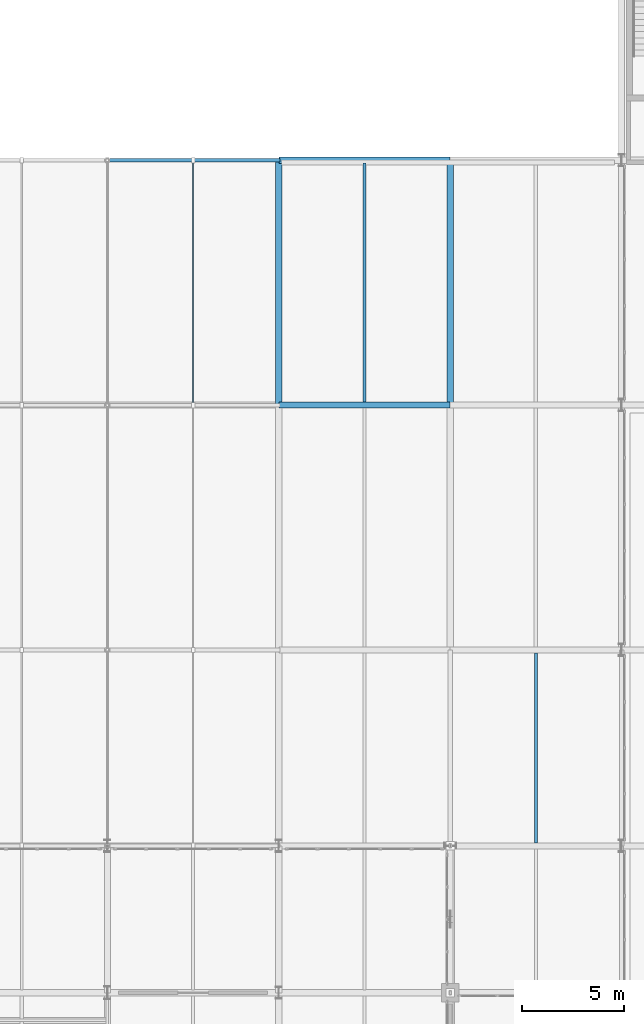
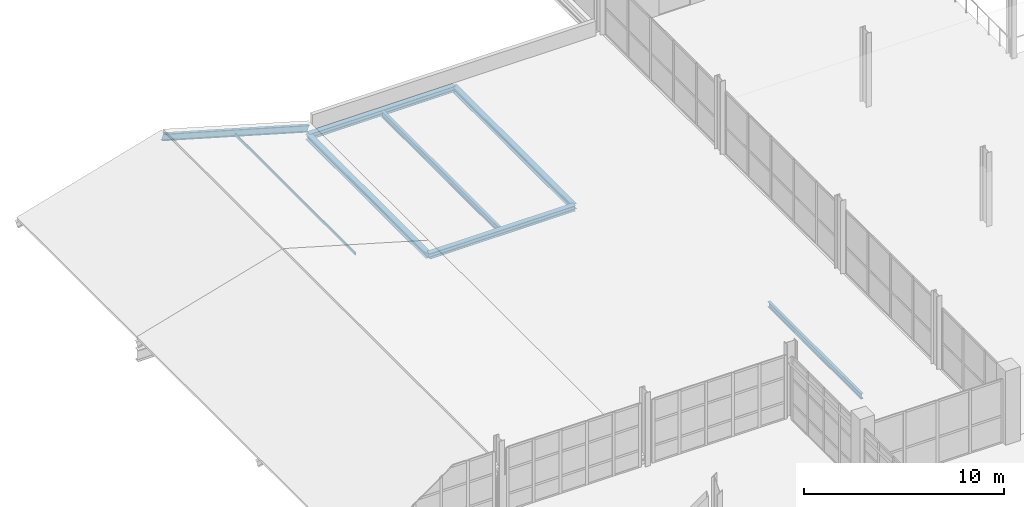
# One storey, part 37 of 130: 7 beams, 1 member.
"""IFC4 building model written with IfcOpenShell, lengths in metres."""

from ifc_helpers import new_model, si_unit, direction, frame, origin, origin_2d, place, context, subcontext, project, spatial, hollow_rectangle, i_section, extrude, material, material_profile, profile_set, type_object, element, save


model = new_model("IFC4")

# Units and contexts
model_context = context("Model", 3, precision=1e-05, world=origin(), true_north=direction((0.0, 1.0)))
body_context = subcontext(model_context, "Body", "Model", "MODEL_VIEW")
ifc_project = project(units=[si_unit("LENGTHUNIT", "METRE"), si_unit("AREAUNIT", "SQUARE_METRE"), si_unit("VOLUMEUNIT", "CUBIC_METRE"), si_unit("PLANEANGLEUNIT", "RADIAN"), si_unit("MASSUNIT", "GRAM", prefix="KILO")], contexts=[model_context])

# Site, building, storey
site_placement = place(None, origin())
site = spatial("IfcSite", under=ifc_project, at=site_placement, CompositionType="ELEMENT")
building_placement = place(site_placement, origin())
building = spatial("IfcBuilding", under=site, at=building_placement, Name="Veltarok Museum of Natural Sciences", CompositionType="ELEMENT")
storey_placement = place(building_placement, frame((0.0, 0.0, 12.89990234375)))
storey = spatial("IfcBuildingStorey", under=building, at=storey_placement, Name="L02", CompositionType="ELEMENT", Elevation=12.89990234375)

# Beams
ifc_material = material(Name="Steel S355J2", Category="steel")
ifc_material_profile_1 = material_profile(ifc_material, i_section(OverallWidth=0.169921875, OverallDepth=0.360107421875, WebThickness=0.008056640625, FlangeThickness=0.0126953125, FilletRadius=0.01806640625, at=origin_2d()), Name="IPE 360")
ifc_profile_set_1 = profile_set([ifc_material_profile_1], Name="Steel S355J2")
beam_type_1 = type_object("IfcBeamType", Name="Long-Bay Composite Joist IPE 360", PredefinedType="JOIST", material=ifc_profile_set_1)
beam_1_placement = place(storey_placement, frame((27.39990234375, 48.14794921875, -0.429931640625), z_axis=(0.0, 1.0, 0.0), x_axis=(-1.0, 0.0, 0.0)))
element("IfcBeam", 1, at=beam_1_placement, inside=storey, type_object=beam_type_1, Name="Secondary Joist BM-J01 L02 3-4/F-G.1", PredefinedType="JOIST", context=body_context, shape_type="SweptSolid", body=[
    extrude(i_section(OverallWidth=0.169921875, OverallDepth=0.360107421875, WebThickness=0.008056640625, FlangeThickness=0.0126953125, FilletRadius=0.01806640625, at=origin_2d()), origin(), (0.0, 0.0, 1.0), 11.7041015625),
])
ifc_material_profile_2 = material_profile(ifc_material, i_section(OverallWidth=0.159912109375, OverallDepth=0.330078125, WebThickness=0.007568359375, FlangeThickness=0.011474609375, FilletRadius=0.01806640625, at=origin_2d()), Name="IPE 330")
ifc_profile_set_2 = profile_set([ifc_material_profile_2], Name="Steel S355J2")
beam_type_2 = type_object("IfcBeamType", Name="Medium-Bay Composite Joist IPE 330", PredefinedType="JOIST", material=ifc_profile_set_2)
beam_2_placement = place(storey_placement, frame((35.800048828125, 26.548095703125, -0.414794921875), z_axis=(0.0, 1.0, 0.0), x_axis=(-1.0, 0.0, 0.0)))
element("IfcBeam", 2, at=beam_2_placement, inside=storey, type_object=beam_type_2, Name="Secondary Joist BM-J02 L02 4-5/D-E.1", PredefinedType="JOIST", context=body_context, shape_type="SweptSolid", body=[
    extrude(i_section(OverallWidth=0.159912109375, OverallDepth=0.330078125, WebThickness=0.007568359375, FlangeThickness=0.011474609375, FilletRadius=0.01806640625, at=origin_2d()), origin(), (0.0, 0.0, 1.0), 9.303955078125),
])
ifc_material_profile_3 = material_profile(ifc_material, i_section(OverallWidth=0.300048828125, OverallDepth=0.330078125, WebThickness=0.009521484375, FlangeThickness=0.0166015625, FilletRadius=0.027099609375, at=origin_2d()), Name="HEA 340")
ifc_profile_set_3 = profile_set([ifc_material_profile_3], Name="Steel S355J2")
beam_type_3 = type_object("IfcBeamType", Name="Perimeter Upper Spandrel HEA 340", PredefinedType="SPANDREL", material=ifc_profile_set_3)
for number, where, z_axis, x_axis, name in (
    (3, (23.199951171875, 48.0, -0.414794921875), (1.0, 0.0, 0.0), (0.0, 1.0, 0.0), "Beam BM-SP05 L02 3-4/F"),
    (4, (23.199951171875, 60.0, -0.414794921875), (1.0, 0.0, 0.0), (0.0, 1.0, 0.0), "Beam BM-SP05 L02 3-4/G"),
):
    element("IfcBeam", number, at=place(storey_placement, frame(where, z_axis=z_axis, x_axis=x_axis)), inside=storey, type_object=beam_type_3, Name=name, PredefinedType="SPANDREL", context=body_context, shape_type="SweptSolid", body=[
        extrude(i_section(OverallWidth=0.300048828125, OverallDepth=0.330078125, WebThickness=0.009521484375, FlangeThickness=0.0166015625, FilletRadius=0.027099609375, at=origin_2d()), origin(), (0.0, 0.0, 1.0), 8.400146484375),
    ])
for number, where, z_axis, x_axis, name in (
    (5, (23.199951171875, 48.0, -0.414794921875), (0.0, 1.0, 0.0), (-1.0, 0.0, 0.0), "Beam BM-SP05 L02 3/F-G"),
    (6, (31.60009765625, 48.0, -0.414794921875), (0.0, 1.0, 0.0), (-1.0, 0.0, 0.0), "Beam BM-SP05 L02 4/F-G"),
):
    element("IfcBeam", number, at=place(storey_placement, frame(where, z_axis=z_axis, x_axis=x_axis)), inside=storey, type_object=beam_type_3, Name=name, PredefinedType="SPANDREL", context=body_context, shape_type="SweptSolid", body=[
        extrude(i_section(OverallWidth=0.300048828125, OverallDepth=0.330078125, WebThickness=0.009521484375, FlangeThickness=0.0166015625, FilletRadius=0.027099609375, at=origin_2d()), origin(), (0.0, 0.0, 1.0), 12.0),
    ])

# Member
ifc_material_profile_4 = material_profile(ifc_material, hollow_rectangle(XDim=0.06005859375, YDim=0.159912109375, WallThickness=0.0048828125, at=origin_2d()), Name="RHS 160x60x5")
ifc_profile_set_4 = profile_set([ifc_material_profile_4], Name="Steel S355J2")
member_type = type_object("IfcMemberType", Name="Sawtooth Roof Purlin RHS 160x60x5", PredefinedType="PURLIN", material=ifc_profile_set_4)
member_placement = place(storey_placement, frame((19.0, 48.0, 1.13623046875), z_axis=(0.0, 1.0, 0.0), x_axis=(-1.0, 0.0, 0.0)))
element("IfcMember", 7, at=member_placement, inside=storey, type_object=member_type, Name="Auditorium Roof Purlin ME F-G", PredefinedType="PURLIN", context=body_context, shape_type="SweptSolid", body=[
    extrude(hollow_rectangle(XDim=0.06005859375, YDim=0.159912109375, WallThickness=0.0048828125, at=origin_2d()), origin(), (0.0, 0.0, 1.0), 12.0),
])

# Beam
ifc_material_profile_5 = material_profile(ifc_material, i_section(OverallWidth=0.179931640625, OverallDepth=0.39990234375, WebThickness=0.008544921875, FlangeThickness=0.013427734375, FilletRadius=0.02099609375, at=origin_2d()), Name="IPE 400")
ifc_profile_set_5 = profile_set([ifc_material_profile_5], Name="Steel S355J2")
beam_type_4 = type_object("IfcBeamType", Name="Sawtooth and Folded Roof Rafter IPE 400", PredefinedType="BEAM", material=ifc_profile_set_5)
beam_3_placement = place(storey_placement, frame((14.800048828125, 60.0, 2.461181640625), z_axis=(0.961222911009, 0.0, -0.275772579043), x_axis=(0.0, 1.0, 0.0)))
element("IfcBeam", 8, at=beam_3_placement, inside=storey, type_object=beam_type_4, Name="Auditorium Roof Rafter Y=60.0 2", PredefinedType="BEAM", context=body_context, shape_type="SweptSolid", body=[
    extrude(i_section(OverallWidth=0.179931640625, OverallDepth=0.39990234375, WebThickness=0.008544921875, FlangeThickness=0.013427734375, FilletRadius=0.02099609375, at=origin_2d()), origin(), (0.0, 0.0, 1.0), 8.73876953125),
])

save(model, "model.ifc")
